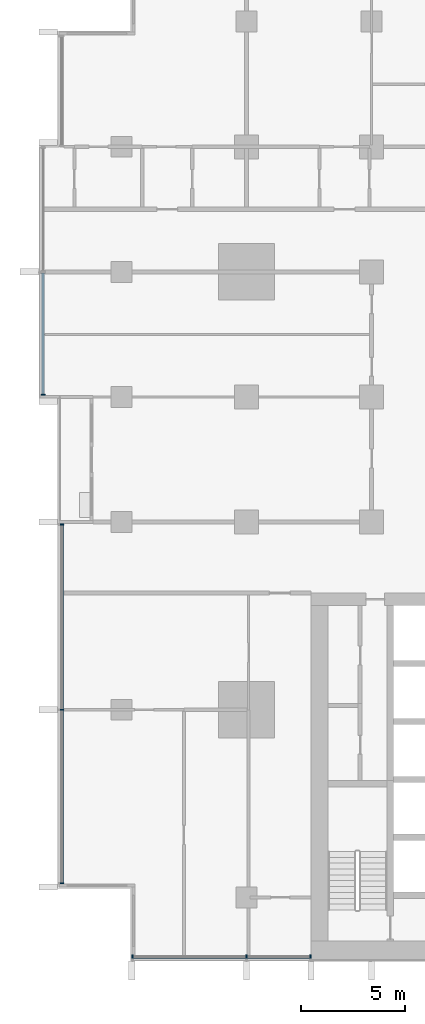
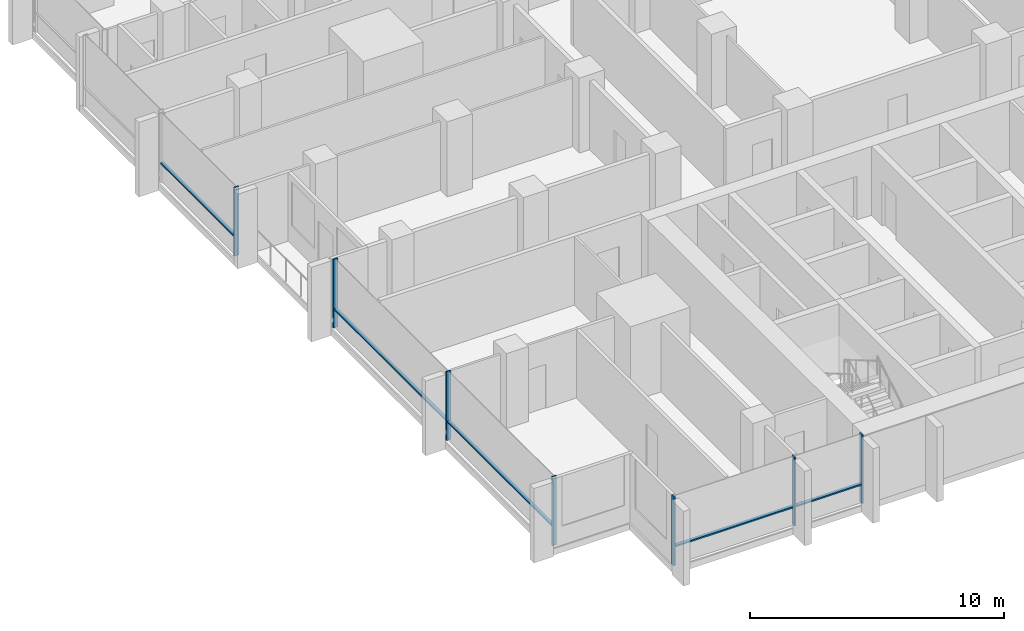
# One storey, part 2 of 17: 12 members, 3 elements without a shape of their own.
"""IFC4 building model written with IfcOpenShell, lengths in metres."""

from ifc_helpers import new_model, si_unit, direction, frame, origin, origin_2d, place, context, subcontext, project, spatial, rectangle, extrude, material, material_profile, profile_set, type_object, element, aggregate, save


model = new_model("IFC4")

# Units and contexts
model_context = context("Model", 3, precision=1e-05, world=origin(), true_north=direction((0.0, 1.0)))
body_context = subcontext(model_context, "Body", "Model", "MODEL_VIEW")
ifc_project = project(units=[si_unit("LENGTHUNIT", "METRE"), si_unit("AREAUNIT", "SQUARE_METRE"), si_unit("VOLUMEUNIT", "CUBIC_METRE"), si_unit("PLANEANGLEUNIT", "RADIAN"), si_unit("MASSUNIT", "GRAM", prefix="KILO")], contexts=[model_context])

# Site, building, storey
site_placement = place(None, origin())
site = spatial("IfcSite", under=ifc_project, at=site_placement, CompositionType="ELEMENT")
building_placement = place(site_placement, origin())
building = spatial("IfcBuilding", under=site, at=building_placement, Name="Finial Court Residences", CompositionType="ELEMENT")
storey_placement = place(building_placement, frame((0.0, 0.0, 91.89990234375)))
storey = spatial("IfcBuildingStorey", under=building, at=storey_placement, Name="L22", CompositionType="ELEMENT", Elevation=91.89990234375)

# Curtain wall, members
ifc_material = material(Name="Bronze anodised aluminium", Category="aluminium")
curtain_wall_type = type_object("IfcCurtainWallType", Name="Unitised curtain wall, lower and middle zones", PredefinedType="NOTDEFINED", material=ifc_material)
curtain_wall_1_placement = place(storey_placement, origin())
curtain_wall_1 = element("IfcCurtainWall", 1, at=curtain_wall_1_placement, inside=storey, type_object=curtain_wall_type, Name="E-L22-CW-S10", PredefinedType="NOTDEFINED")
ifc_material_profile_1 = material_profile(ifc_material, rectangle(XDim=0.199951171875, YDim=0.06494140625, at=origin_2d()), Name="CW1 mullion 65 x 200")
ifc_profile_set_1 = profile_set([ifc_material_profile_1], Name="Bronze anodised aluminium")
member_type_1 = type_object("IfcMemberType", Name="CW1 mullion 65 x 200", PredefinedType="MULLION", material=ifc_profile_set_1)
member_1_placement = place(storey_placement, frame((-21.967529296875, -25.35009765625, 0.0), z_axis=(0.0, 0.0, 1.0), x_axis=(0.0, 1.0, 0.0)))
member_1 = element("IfcMember", 2, at=member_1_placement, type_object=member_type_1, Name="CW1 mullion 1", PredefinedType="MULLION", context=body_context, shape_type="SweptSolid", body=[
    extrude(rectangle(XDim=0.199951171875, YDim=0.06494140625, at=origin_2d()), origin(), (0.0, 0.0, 1.0), 3.300048828125),
])
member_2_placement = place(storey_placement, frame((-16.5, -25.35009765625, 0.0), z_axis=(0.0, 0.0, 1.0), x_axis=(0.0, 1.0, 0.0)))
member_2 = element("IfcMember", 3, at=member_2_placement, type_object=member_type_1, Name="CW1 mullion 2", PredefinedType="MULLION", context=body_context, shape_type="SweptSolid", body=[
    extrude(rectangle(XDim=0.199951171875, YDim=0.06494140625, at=origin_2d()), origin(), (0.0, 0.0, 1.0), 3.300048828125),
])
member_3_placement = place(storey_placement, frame((-13.4326171875, -25.35009765625, 0.0), z_axis=(0.0, 0.0, 1.0), x_axis=(0.0, 1.0, 0.0)))
member_3 = element("IfcMember", 4, at=member_3_placement, type_object=member_type_1, Name="CW1 mullion 3", PredefinedType="MULLION", context=body_context, shape_type="SweptSolid", body=[
    extrude(rectangle(XDim=0.199951171875, YDim=0.06494140625, at=origin_2d()), origin(), (0.0, 0.0, 1.0), 3.300048828125),
])

curtain_wall_2_placement = place(storey_placement, origin())
curtain_wall_2 = element("IfcCurtainWall", 5, at=curtain_wall_2_placement, inside=storey, type_object=curtain_wall_type, Name="E-L22-CW-W12", PredefinedType="NOTDEFINED")
member_4_placement = place(storey_placement, frame((-25.35009765625, -21.8173828125, 0.0), z_axis=(0.0, 0.0, 1.0), x_axis=(-1.0, 0.0, 0.0)))
member_4 = element("IfcMember", 6, at=member_4_placement, type_object=member_type_1, Name="CW1 mullion 1", PredefinedType="MULLION", context=body_context, shape_type="SweptSolid", body=[
    extrude(rectangle(XDim=0.199951171875, YDim=0.06494140625, at=origin_2d()), origin(), (0.0, 0.0, 1.0), 3.300048828125),
])
member_5_placement = place(storey_placement, frame((-25.35009765625, -13.5, 0.0), z_axis=(0.0, 0.0, 1.0), x_axis=(-1.0, 0.0, 0.0)))
member_5 = element("IfcMember", 7, at=member_5_placement, type_object=member_type_1, Name="CW1 mullion 2", PredefinedType="MULLION", context=body_context, shape_type="SweptSolid", body=[
    extrude(rectangle(XDim=0.199951171875, YDim=0.06494140625, at=origin_2d()), origin(), (0.0, 0.0, 1.0), 3.300048828125),
])
member_6_placement = place(storey_placement, frame((-25.35009765625, -4.607421875, 0.0), z_axis=(0.0, 0.0, 1.0), x_axis=(-1.0, 0.0, 0.0)))
member_6 = element("IfcMember", 8, at=member_6_placement, type_object=member_type_1, Name="CW1 mullion 3", PredefinedType="MULLION", context=body_context, shape_type="SweptSolid", body=[
    extrude(rectangle(XDim=0.199951171875, YDim=0.06494140625, at=origin_2d()), origin(), (0.0, 0.0, 1.0), 3.300048828125),
])

# Curtain wall, member
curtain_wall_3_placement = place(storey_placement, origin())
curtain_wall_3 = element("IfcCurtainWall", 9, at=curtain_wall_3_placement, inside=storey, type_object=curtain_wall_type, Name="E-L22-CW-W13", PredefinedType="NOTDEFINED")
member_7_placement = place(storey_placement, frame((-26.25, 1.607421875, 0.0), z_axis=(0.0, 0.0, 1.0), x_axis=(-1.0, 0.0, 0.0)))
member_7 = element("IfcMember", 10, at=member_7_placement, type_object=member_type_1, Name="CW1 mullion 1", PredefinedType="MULLION", context=body_context, shape_type="SweptSolid", body=[
    extrude(rectangle(XDim=0.199951171875, YDim=0.06494140625, at=origin_2d()), origin(), (0.0, 0.0, 1.0), 3.300048828125),
])

# Member
ifc_material_profile_2 = material_profile(ifc_material, rectangle(XDim=0.14990234375, YDim=0.06494140625, at=origin_2d()), Name="CW1 transom 65 x 150")
ifc_profile_set_2 = profile_set([ifc_material_profile_2], Name="Bronze anodised aluminium")
member_type_2 = type_object("IfcMemberType", Name="CW1 transom 65 x 150", PredefinedType="USERDEFINED", material=ifc_profile_set_2)
member_8_placement = place(storey_placement, frame((-21.93505859375, -25.35009765625, 0.900146484375), z_axis=(1.0, 0.0, 0.0), x_axis=(0.0, 1.0, 0.0)))
member_8 = element("IfcMember", 11, at=member_8_placement, type_object=member_type_2, Name="CW1 transom 1.1", ObjectType="TRANSOM", PredefinedType="USERDEFINED", context=body_context, shape_type="SweptSolid", body=[
    extrude(rectangle(XDim=0.14990234375, YDim=0.06494140625, at=origin_2d()), origin(), (0.0, 0.0, 1.0), 5.402587890625),
])

member_9_placement = place(storey_placement, frame((-16.467529296875, -25.35009765625, 0.900146484375), z_axis=(1.0, 0.0, 0.0), x_axis=(0.0, 1.0, 0.0)))
member_9 = element("IfcMember", 12, at=member_9_placement, type_object=member_type_2, Name="CW1 transom 2.1", ObjectType="TRANSOM", PredefinedType="USERDEFINED", context=body_context, shape_type="SweptSolid", body=[
    extrude(rectangle(XDim=0.14990234375, YDim=0.06494140625, at=origin_2d()), origin(), (0.0, 0.0, 1.0), 3.00244140625),
])

aggregate(curtain_wall_1, [member_1, member_2, member_3, member_8, member_9])

member_10_placement = place(storey_placement, frame((-25.35009765625, -21.784912109375, 0.900146484375), z_axis=(0.0, 1.0, 0.0), x_axis=(-1.0, 0.0, 0.0)))
member_10 = element("IfcMember", 13, at=member_10_placement, type_object=member_type_2, Name="CW1 transom 1.1", ObjectType="TRANSOM", PredefinedType="USERDEFINED", context=body_context, shape_type="SweptSolid", body=[
    extrude(rectangle(XDim=0.14990234375, YDim=0.06494140625, at=origin_2d()), origin(), (0.0, 0.0, 1.0), 8.25244140625),
])

member_11_placement = place(storey_placement, frame((-25.35009765625, -13.467529296875, 0.900146484375), z_axis=(0.0, 1.0, 0.0), x_axis=(-1.0, 0.0, 0.0)))
member_11 = element("IfcMember", 14, at=member_11_placement, type_object=member_type_2, Name="CW1 transom 2.1", ObjectType="TRANSOM", PredefinedType="USERDEFINED", context=body_context, shape_type="SweptSolid", body=[
    extrude(rectangle(XDim=0.14990234375, YDim=0.06494140625, at=origin_2d()), origin(), (0.0, 0.0, 1.0), 8.82763671875),
])

aggregate(curtain_wall_2, [member_4, member_5, member_6, member_10, member_11])

member_12_placement = place(storey_placement, frame((-26.25, 1.639892578125, 0.900146484375), z_axis=(0.0, 1.0, 0.0), x_axis=(-1.0, 0.0, 0.0)))
member_12 = element("IfcMember", 15, at=member_12_placement, type_object=member_type_2, Name="CW1 transom 1.1", ObjectType="TRANSOM", PredefinedType="USERDEFINED", context=body_context, shape_type="SweptSolid", body=[
    extrude(rectangle(XDim=0.14990234375, YDim=0.06494140625, at=origin_2d()), origin(), (0.0, 0.0, 1.0), 5.795166015625),
])

aggregate(curtain_wall_3, [member_7, member_12])

save(model, "model.ifc")
